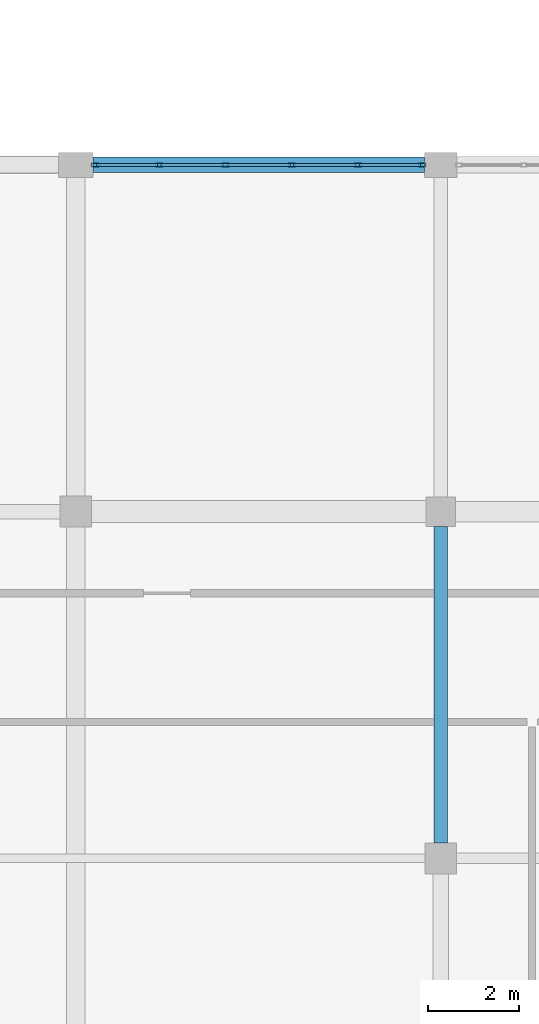
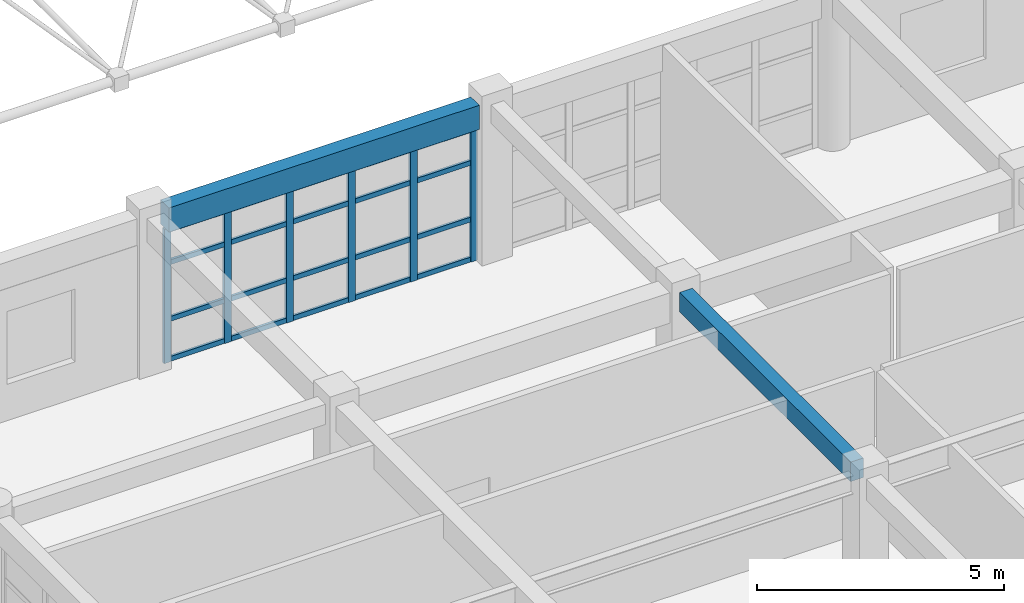
# One storey, part 38 of 195: 26 members, 2 beams, 1 element without a shape of its own.
"""IFC4 building model written with IfcOpenShell, lengths in metres."""

from ifc_helpers import new_model, si_unit, direction, frame, origin, origin_2d, place, context, subcontext, project, spatial, rectangle, hollow_rectangle, extrude, material, material_profile, profile_set, type_object, element, aggregate, save


model = new_model("IFC4")

# Units and contexts
model_context = context("Model", 3, precision=1e-05, world=origin(), true_north=direction((0.0, 1.0)))
body_context = subcontext(model_context, "Body", "Model", "MODEL_VIEW")
ifc_project = project(units=[si_unit("LENGTHUNIT", "METRE"), si_unit("AREAUNIT", "SQUARE_METRE"), si_unit("VOLUMEUNIT", "CUBIC_METRE"), si_unit("PLANEANGLEUNIT", "RADIAN"), si_unit("MASSUNIT", "GRAM", prefix="KILO")], contexts=[model_context])

# Site, building, storey
site_placement = place(None, origin())
site = spatial("IfcSite", under=ifc_project, at=site_placement, CompositionType="ELEMENT")
building_placement = place(site_placement, origin())
building = spatial("IfcBuilding", under=site, at=building_placement, Name="Kharva Crest Polytechnic", CompositionType="ELEMENT")
storey_placement = place(building_placement, frame((0.0, 0.0, 9.0)))
storey = spatial("IfcBuildingStorey", under=building, at=storey_placement, Name="L02", CompositionType="ELEMENT", Elevation=9.0)

# Beam
ifc_material_1 = material(Name="Concrete C35/45", Category="concrete")
ifc_material_profile_1 = material_profile(ifc_material_1, rectangle(XDim=0.300048828125, YDim=0.47998046875, at=origin_2d()), Name="RECT 300 X 480")
ifc_profile_set_1 = profile_set([ifc_material_profile_1], Name="Concrete C35/45")
beam_type_1 = type_object("IfcBeamType", Name="BM-RC-300X480", PredefinedType="BEAM", material=ifc_profile_set_1)
beam_1_placement = place(storey_placement, frame((16.0, 15.5400390625, 3.679931640625), z_axis=(0.0, 1.0, 0.0), x_axis=(-1.0, 0.0, 0.0)))
element("IfcBeam", 1, at=beam_1_placement, inside=storey, type_object=beam_type_1, Name="L02 Girder 3/C-D", PredefinedType="BEAM", context=body_context, shape_type="SweptSolid", body=[
    extrude(rectangle(XDim=0.300048828125, YDim=0.47998046875, at=origin_2d()), origin(), (0.0, 0.0, 1.0), 6.93505859375),
])

# Curtain wall, members
ifc_material_2 = material(Name="Tempered insulated glass", Category="glass")
curtain_wall_type = type_object("IfcCurtainWallType", Name="CW-SYS-COURT", PredefinedType="USERDEFINED", material=ifc_material_2)
curtain_wall_placement = place(storey_placement, origin())
curtain_wall = element("IfcCurtainWall", 2, at=curtain_wall_placement, inside=storey, type_object=curtain_wall_type, Name="L02 Glazed Curtain Wall CW-090", ObjectType="CURTAIN WALL", PredefinedType="USERDEFINED")
ifc_material_3 = material(Name="Steel S355", Category="steel")
ifc_material_profile_2 = material_profile(ifc_material_3, hollow_rectangle(XDim=0.080078125, YDim=0.159912109375, WallThickness=0.0048828125, at=origin_2d()), Name="RHS 160X80X5.0")
ifc_profile_set_2 = profile_set([ifc_material_profile_2], Name="Steel S355")
member_type_1 = type_object("IfcMemberType", Name="CWM-RHS160X80", PredefinedType="MULLION", material=ifc_profile_set_2)
member_1_placement = place(storey_placement, frame((15.594970703125, 30.39990234375, 0.0), z_axis=(0.0, 0.0, 1.0), x_axis=(0.0, -1.0, 0.0)))
member_1 = element("IfcMember", 3, at=member_1_placement, type_object=member_type_1, Name="CW-090 mullion 1", PredefinedType="MULLION", context=body_context, shape_type="SweptSolid", body=[
    extrude(hollow_rectangle(XDim=0.080078125, YDim=0.159912109375, WallThickness=0.0048828125, at=origin_2d()), origin(), (0.0, 0.0, 1.0), 3.320068359375),
])
member_2_placement = place(storey_placement, frame((14.18408203125, 30.39990234375, 0.0), z_axis=(0.0, 0.0, 1.0), x_axis=(0.0, -1.0, 0.0)))
member_2 = element("IfcMember", 4, at=member_2_placement, type_object=member_type_1, Name="CW-090 mullion 2", PredefinedType="MULLION", context=body_context, shape_type="SweptSolid", body=[
    extrude(hollow_rectangle(XDim=0.080078125, YDim=0.159912109375, WallThickness=0.0048828125, at=origin_2d()), origin(), (0.0, 0.0, 1.0), 3.320068359375),
])
member_3_placement = place(storey_placement, frame((12.73291015625, 30.39990234375, 0.0), z_axis=(0.0, 0.0, 1.0), x_axis=(0.0, -1.0, 0.0)))
member_3 = element("IfcMember", 5, at=member_3_placement, type_object=member_type_1, Name="CW-090 mullion 3", PredefinedType="MULLION", context=body_context, shape_type="SweptSolid", body=[
    extrude(hollow_rectangle(XDim=0.080078125, YDim=0.159912109375, WallThickness=0.0048828125, at=origin_2d()), origin(), (0.0, 0.0, 1.0), 3.320068359375),
])
member_4_placement = place(storey_placement, frame((11.281982421875, 30.39990234375, 0.0), z_axis=(0.0, 0.0, 1.0), x_axis=(0.0, -1.0, 0.0)))
member_4 = element("IfcMember", 6, at=member_4_placement, type_object=member_type_1, Name="CW-090 mullion 4", PredefinedType="MULLION", context=body_context, shape_type="SweptSolid", body=[
    extrude(hollow_rectangle(XDim=0.080078125, YDim=0.159912109375, WallThickness=0.0048828125, at=origin_2d()), origin(), (0.0, 0.0, 1.0), 3.320068359375),
])
member_5_placement = place(storey_placement, frame((9.8310546875, 30.39990234375, 0.0), z_axis=(0.0, 0.0, 1.0), x_axis=(0.0, -1.0, 0.0)))
member_5 = element("IfcMember", 7, at=member_5_placement, type_object=member_type_1, Name="CW-090 mullion 5", PredefinedType="MULLION", context=body_context, shape_type="SweptSolid", body=[
    extrude(hollow_rectangle(XDim=0.080078125, YDim=0.159912109375, WallThickness=0.0048828125, at=origin_2d()), origin(), (0.0, 0.0, 1.0), 3.320068359375),
])
member_6_placement = place(storey_placement, frame((8.419921875, 30.39990234375, 0.0), z_axis=(0.0, 0.0, 1.0), x_axis=(0.0, -1.0, 0.0)))
member_6 = element("IfcMember", 8, at=member_6_placement, type_object=member_type_1, Name="CW-090 mullion 6", PredefinedType="MULLION", context=body_context, shape_type="SweptSolid", body=[
    extrude(hollow_rectangle(XDim=0.080078125, YDim=0.159912109375, WallThickness=0.0048828125, at=origin_2d()), origin(), (0.0, 0.0, 1.0), 3.320068359375),
])
ifc_material_profile_3 = material_profile(ifc_material_3, hollow_rectangle(XDim=0.06005859375, YDim=0.1201171875, WallThickness=0.00390625, at=origin_2d()), Name="RHS 120X60X4.0")
ifc_profile_set_3 = profile_set([ifc_material_profile_3], Name="Steel S355")
member_type_2 = type_object("IfcMemberType", Name="CWT-RHS120X60", PredefinedType="USERDEFINED", material=ifc_profile_set_3)
member_7_placement = place(storey_placement, frame((15.554931640625, 30.39990234375, 0.06005859375), z_axis=(-1.0, 0.0, 0.0), x_axis=(0.0, -1.0, 0.0)))
member_7 = element("IfcMember", 9, at=member_7_placement, type_object=member_type_2, Name="CW-090 transom 1.1", ObjectType="TRANSOM", PredefinedType="USERDEFINED", context=body_context, shape_type="SweptSolid", body=[
    extrude(hollow_rectangle(XDim=0.06005859375, YDim=0.1201171875, WallThickness=0.00390625, at=origin_2d()), origin(), (0.0, 0.0, 1.0), 1.330810546875),
])
member_8_placement = place(storey_placement, frame((15.554931640625, 30.39990234375, 1.050048828125), z_axis=(-1.0, 0.0, 0.0), x_axis=(0.0, -1.0, 0.0)))
member_8 = element("IfcMember", 10, at=member_8_placement, type_object=member_type_2, Name="CW-090 transom 1.2", ObjectType="TRANSOM", PredefinedType="USERDEFINED", context=body_context, shape_type="SweptSolid", body=[
    extrude(hollow_rectangle(XDim=0.06005859375, YDim=0.1201171875, WallThickness=0.00390625, at=origin_2d()), origin(), (0.0, 0.0, 1.0), 1.330810546875),
])
member_9_placement = place(storey_placement, frame((15.554931640625, 30.39990234375, 2.449951171875), z_axis=(-1.0, 0.0, 0.0), x_axis=(0.0, -1.0, 0.0)))
member_9 = element("IfcMember", 11, at=member_9_placement, type_object=member_type_2, Name="CW-090 transom 1.3", ObjectType="TRANSOM", PredefinedType="USERDEFINED", context=body_context, shape_type="SweptSolid", body=[
    extrude(hollow_rectangle(XDim=0.06005859375, YDim=0.1201171875, WallThickness=0.00390625, at=origin_2d()), origin(), (0.0, 0.0, 1.0), 1.330810546875),
])
member_10_placement = place(storey_placement, frame((15.554931640625, 30.39990234375, 3.260009765625), z_axis=(-1.0, 0.0, 0.0), x_axis=(0.0, -1.0, 0.0)))
member_10 = element("IfcMember", 12, at=member_10_placement, type_object=member_type_2, Name="CW-090 transom 1.4", ObjectType="TRANSOM", PredefinedType="USERDEFINED", context=body_context, shape_type="SweptSolid", body=[
    extrude(hollow_rectangle(XDim=0.06005859375, YDim=0.1201171875, WallThickness=0.00390625, at=origin_2d()), origin(), (0.0, 0.0, 1.0), 1.330810546875),
])
member_11_placement = place(storey_placement, frame((14.14404296875, 30.39990234375, 0.06005859375), z_axis=(-1.0, 0.0, 0.0), x_axis=(0.0, -1.0, 0.0)))
member_11 = element("IfcMember", 13, at=member_11_placement, type_object=member_type_2, Name="CW-090 transom 2.1", ObjectType="TRANSOM", PredefinedType="USERDEFINED", context=body_context, shape_type="SweptSolid", body=[
    extrude(hollow_rectangle(XDim=0.06005859375, YDim=0.1201171875, WallThickness=0.00390625, at=origin_2d()), origin(), (0.0, 0.0, 1.0), 1.37109375),
])
member_12_placement = place(storey_placement, frame((14.14404296875, 30.39990234375, 1.050048828125), z_axis=(-1.0, 0.0, 0.0), x_axis=(0.0, -1.0, 0.0)))
member_12 = element("IfcMember", 14, at=member_12_placement, type_object=member_type_2, Name="CW-090 transom 2.2", ObjectType="TRANSOM", PredefinedType="USERDEFINED", context=body_context, shape_type="SweptSolid", body=[
    extrude(hollow_rectangle(XDim=0.06005859375, YDim=0.1201171875, WallThickness=0.00390625, at=origin_2d()), origin(), (0.0, 0.0, 1.0), 1.37109375),
])
member_13_placement = place(storey_placement, frame((14.14404296875, 30.39990234375, 2.449951171875), z_axis=(-1.0, 0.0, 0.0), x_axis=(0.0, -1.0, 0.0)))
member_13 = element("IfcMember", 15, at=member_13_placement, type_object=member_type_2, Name="CW-090 transom 2.3", ObjectType="TRANSOM", PredefinedType="USERDEFINED", context=body_context, shape_type="SweptSolid", body=[
    extrude(hollow_rectangle(XDim=0.06005859375, YDim=0.1201171875, WallThickness=0.00390625, at=origin_2d()), origin(), (0.0, 0.0, 1.0), 1.37109375),
])
member_14_placement = place(storey_placement, frame((14.14404296875, 30.39990234375, 3.260009765625), z_axis=(-1.0, 0.0, 0.0), x_axis=(0.0, -1.0, 0.0)))
member_14 = element("IfcMember", 16, at=member_14_placement, type_object=member_type_2, Name="CW-090 transom 2.4", ObjectType="TRANSOM", PredefinedType="USERDEFINED", context=body_context, shape_type="SweptSolid", body=[
    extrude(hollow_rectangle(XDim=0.06005859375, YDim=0.1201171875, WallThickness=0.00390625, at=origin_2d()), origin(), (0.0, 0.0, 1.0), 1.37109375),
])
member_15_placement = place(storey_placement, frame((12.693115234375, 30.39990234375, 0.06005859375), z_axis=(-1.0, 0.0, 0.0), x_axis=(0.0, -1.0, 0.0)))
member_15 = element("IfcMember", 17, at=member_15_placement, type_object=member_type_2, Name="CW-090 transom 3.1", ObjectType="TRANSOM", PredefinedType="USERDEFINED", context=body_context, shape_type="SweptSolid", body=[
    extrude(hollow_rectangle(XDim=0.06005859375, YDim=0.1201171875, WallThickness=0.00390625, at=origin_2d()), origin(), (0.0, 0.0, 1.0), 1.37109375),
])
member_16_placement = place(storey_placement, frame((12.693115234375, 30.39990234375, 1.050048828125), z_axis=(-1.0, 0.0, 0.0), x_axis=(0.0, -1.0, 0.0)))
member_16 = element("IfcMember", 18, at=member_16_placement, type_object=member_type_2, Name="CW-090 transom 3.2", ObjectType="TRANSOM", PredefinedType="USERDEFINED", context=body_context, shape_type="SweptSolid", body=[
    extrude(hollow_rectangle(XDim=0.06005859375, YDim=0.1201171875, WallThickness=0.00390625, at=origin_2d()), origin(), (0.0, 0.0, 1.0), 1.37109375),
])
member_17_placement = place(storey_placement, frame((12.693115234375, 30.39990234375, 2.449951171875), z_axis=(-1.0, 0.0, 0.0), x_axis=(0.0, -1.0, 0.0)))
member_17 = element("IfcMember", 19, at=member_17_placement, type_object=member_type_2, Name="CW-090 transom 3.3", ObjectType="TRANSOM", PredefinedType="USERDEFINED", context=body_context, shape_type="SweptSolid", body=[
    extrude(hollow_rectangle(XDim=0.06005859375, YDim=0.1201171875, WallThickness=0.00390625, at=origin_2d()), origin(), (0.0, 0.0, 1.0), 1.37109375),
])
member_18_placement = place(storey_placement, frame((12.693115234375, 30.39990234375, 3.260009765625), z_axis=(-1.0, 0.0, 0.0), x_axis=(0.0, -1.0, 0.0)))
member_18 = element("IfcMember", 20, at=member_18_placement, type_object=member_type_2, Name="CW-090 transom 3.4", ObjectType="TRANSOM", PredefinedType="USERDEFINED", context=body_context, shape_type="SweptSolid", body=[
    extrude(hollow_rectangle(XDim=0.06005859375, YDim=0.1201171875, WallThickness=0.00390625, at=origin_2d()), origin(), (0.0, 0.0, 1.0), 1.37109375),
])
member_19_placement = place(storey_placement, frame((11.241943359375, 30.39990234375, 0.06005859375), z_axis=(-1.0, 0.0, 0.0), x_axis=(0.0, -1.0, 0.0)))
member_19 = element("IfcMember", 21, at=member_19_placement, type_object=member_type_2, Name="CW-090 transom 4.1", ObjectType="TRANSOM", PredefinedType="USERDEFINED", context=body_context, shape_type="SweptSolid", body=[
    extrude(hollow_rectangle(XDim=0.06005859375, YDim=0.1201171875, WallThickness=0.00390625, at=origin_2d()), origin(), (0.0, 0.0, 1.0), 1.370849609375),
])
member_20_placement = place(storey_placement, frame((11.241943359375, 30.39990234375, 1.050048828125), z_axis=(-1.0, 0.0, 0.0), x_axis=(0.0, -1.0, 0.0)))
member_20 = element("IfcMember", 22, at=member_20_placement, type_object=member_type_2, Name="CW-090 transom 4.2", ObjectType="TRANSOM", PredefinedType="USERDEFINED", context=body_context, shape_type="SweptSolid", body=[
    extrude(hollow_rectangle(XDim=0.06005859375, YDim=0.1201171875, WallThickness=0.00390625, at=origin_2d()), origin(), (0.0, 0.0, 1.0), 1.370849609375),
])
member_21_placement = place(storey_placement, frame((11.241943359375, 30.39990234375, 2.449951171875), z_axis=(-1.0, 0.0, 0.0), x_axis=(0.0, -1.0, 0.0)))
member_21 = element("IfcMember", 23, at=member_21_placement, type_object=member_type_2, Name="CW-090 transom 4.3", ObjectType="TRANSOM", PredefinedType="USERDEFINED", context=body_context, shape_type="SweptSolid", body=[
    extrude(hollow_rectangle(XDim=0.06005859375, YDim=0.1201171875, WallThickness=0.00390625, at=origin_2d()), origin(), (0.0, 0.0, 1.0), 1.370849609375),
])
member_22_placement = place(storey_placement, frame((11.241943359375, 30.39990234375, 3.260009765625), z_axis=(-1.0, 0.0, 0.0), x_axis=(0.0, -1.0, 0.0)))
member_22 = element("IfcMember", 24, at=member_22_placement, type_object=member_type_2, Name="CW-090 transom 4.4", ObjectType="TRANSOM", PredefinedType="USERDEFINED", context=body_context, shape_type="SweptSolid", body=[
    extrude(hollow_rectangle(XDim=0.06005859375, YDim=0.1201171875, WallThickness=0.00390625, at=origin_2d()), origin(), (0.0, 0.0, 1.0), 1.370849609375),
])
member_23_placement = place(storey_placement, frame((9.791015625, 30.39990234375, 0.06005859375), z_axis=(-1.0, 0.0, 0.0), x_axis=(0.0, -1.0, 0.0)))
member_23 = element("IfcMember", 25, at=member_23_placement, type_object=member_type_2, Name="CW-090 transom 5.1", ObjectType="TRANSOM", PredefinedType="USERDEFINED", context=body_context, shape_type="SweptSolid", body=[
    extrude(hollow_rectangle(XDim=0.06005859375, YDim=0.1201171875, WallThickness=0.00390625, at=origin_2d()), origin(), (0.0, 0.0, 1.0), 1.3310546875),
])
member_24_placement = place(storey_placement, frame((9.791015625, 30.39990234375, 1.050048828125), z_axis=(-1.0, 0.0, 0.0), x_axis=(0.0, -1.0, 0.0)))
member_24 = element("IfcMember", 26, at=member_24_placement, type_object=member_type_2, Name="CW-090 transom 5.2", ObjectType="TRANSOM", PredefinedType="USERDEFINED", context=body_context, shape_type="SweptSolid", body=[
    extrude(hollow_rectangle(XDim=0.06005859375, YDim=0.1201171875, WallThickness=0.00390625, at=origin_2d()), origin(), (0.0, 0.0, 1.0), 1.3310546875),
])
member_25_placement = place(storey_placement, frame((9.791015625, 30.39990234375, 2.449951171875), z_axis=(-1.0, 0.0, 0.0), x_axis=(0.0, -1.0, 0.0)))
member_25 = element("IfcMember", 27, at=member_25_placement, type_object=member_type_2, Name="CW-090 transom 5.3", ObjectType="TRANSOM", PredefinedType="USERDEFINED", context=body_context, shape_type="SweptSolid", body=[
    extrude(hollow_rectangle(XDim=0.06005859375, YDim=0.1201171875, WallThickness=0.00390625, at=origin_2d()), origin(), (0.0, 0.0, 1.0), 1.3310546875),
])
member_26_placement = place(storey_placement, frame((9.791015625, 30.39990234375, 3.260009765625), z_axis=(-1.0, 0.0, 0.0), x_axis=(0.0, -1.0, 0.0)))
member_26 = element("IfcMember", 28, at=member_26_placement, type_object=member_type_2, Name="CW-090 transom 5.4", ObjectType="TRANSOM", PredefinedType="USERDEFINED", context=body_context, shape_type="SweptSolid", body=[
    extrude(hollow_rectangle(XDim=0.06005859375, YDim=0.1201171875, WallThickness=0.00390625, at=origin_2d()), origin(), (0.0, 0.0, 1.0), 1.3310546875),
])
aggregate(curtain_wall, [member_1, member_2, member_3, member_4, member_5, member_6, member_7, member_8, member_9, member_10, member_11, member_12, member_13, member_14, member_15, member_16, member_17, member_18, member_19, member_20, member_21, member_22, member_23, member_24, member_25, member_26])

# Beam
ifc_material_profile_4 = material_profile(ifc_material_1, rectangle(XDim=0.340087890625, YDim=0.60009765625, at=origin_2d()), Name="RECT 340 X 600")
ifc_profile_set_4 = profile_set([ifc_material_profile_4], Name="Concrete C35/45")
beam_type_2 = type_object("IfcBeamType", Name="SP-RC-340X600", PredefinedType="SPANDREL", material=ifc_profile_set_4)
beam_2_placement = place(storey_placement, frame((8.375, 30.39990234375, 3.6201171875), z_axis=(1.0, 0.0, 0.0), x_axis=(0.0, 1.0, 0.0)))
element("IfcBeam", 29, at=beam_2_placement, inside=storey, type_object=beam_type_2, Name="L02 Beam E/2-3", PredefinedType="SPANDREL", context=body_context, shape_type="SweptSolid", body=[
    extrude(rectangle(XDim=0.340087890625, YDim=0.60009765625, at=origin_2d()), origin(), (0.0, 0.0, 1.0), 7.264892578125),
])

save(model, "model.ifc")
